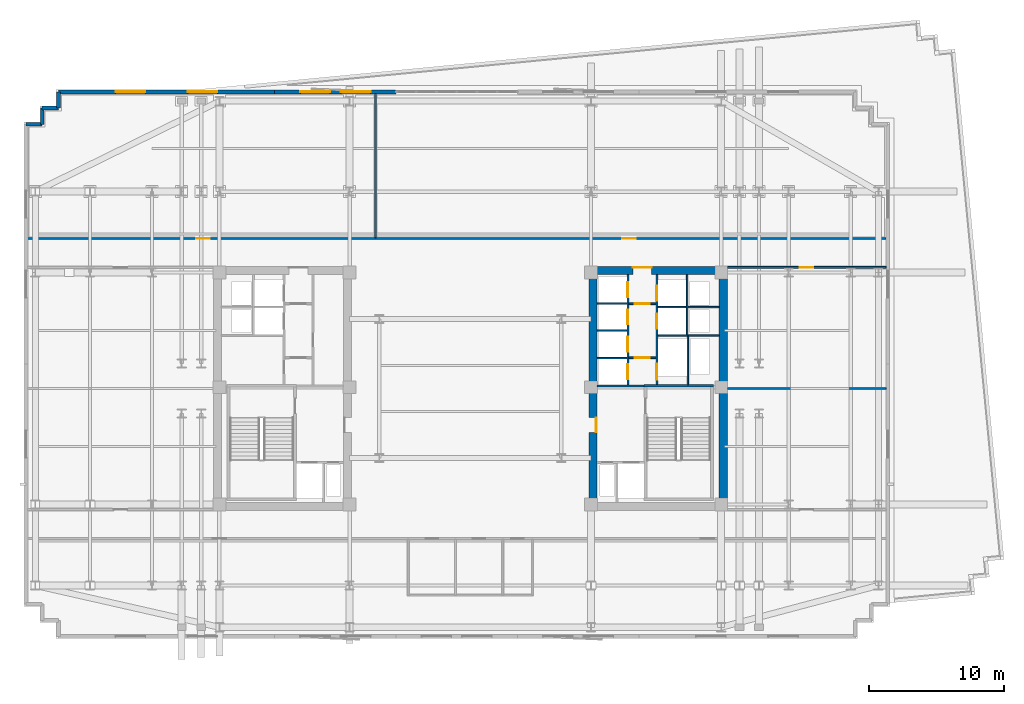
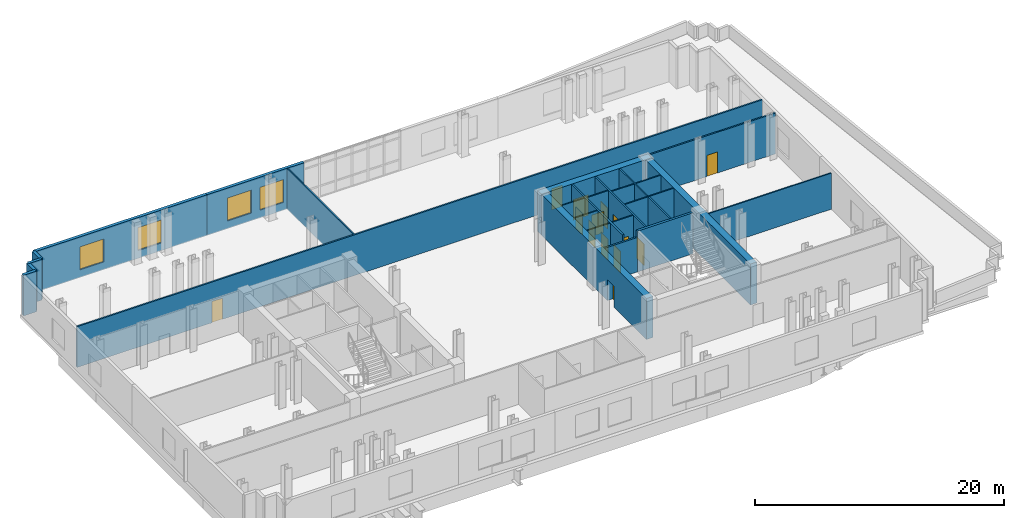
# One storey, part 8 of 14: 27 walls, 14 doors, 4 windows, 18 openings.
"""IFC4 building model written with IfcOpenShell, lengths in metres."""

from ifc_helpers import new_model, si_unit, direction, frame, frame_2d, origin, place, context, subcontext, project, spatial, rectangle, extrude, material, layer, layer_set, type_object, element, fill, save


model = new_model("IFC4")

# Units and contexts
model_context = context("Model", 3, precision=1e-05, world=origin(), true_north=direction((0.0, 1.0)))
body_context = subcontext(model_context, "Body", "Model", "MODEL_VIEW")
ifc_project = project(units=[si_unit("LENGTHUNIT", "METRE"), si_unit("AREAUNIT", "SQUARE_METRE"), si_unit("VOLUMEUNIT", "CUBIC_METRE"), si_unit("PLANEANGLEUNIT", "RADIAN"), si_unit("MASSUNIT", "GRAM", prefix="KILO")], contexts=[model_context])

# Site, building, storey
site_placement = place(None, origin())
site = spatial("IfcSite", under=ifc_project, at=site_placement, CompositionType="ELEMENT")
building_placement = place(site_placement, origin())
building = spatial("IfcBuilding", under=site, at=building_placement, Name="Velakula Bourse", CompositionType="ELEMENT")
storey_placement = place(building_placement, frame((0.0, 0.0, 116.64990234375)))
storey = spatial("IfcBuildingStorey", under=building, at=storey_placement, Name="L31", CompositionType="ELEMENT", Elevation=116.64990234375)

# Wall
ifc_material_1 = material(Name="Concrete M50 (fck 50 MPa)", Category="concrete")
ifc_layer_1 = layer(ifc_material_1, 0.2099609375, Name="Concrete M50 (fck 50 MPa)", Category="concrete")
ifc_layer_set_1 = layer_set([ifc_layer_1], Name="Concrete M50 (fck 50 MPa)")
wall_type_1 = type_object("IfcWallType", Name="WL-CORE-210", PredefinedType="SHEAR", material=ifc_layer_set_1)
wall_1_placement = place(storey_placement, frame((18.030029296875, 0.205078125, 0.0), z_axis=(0.0, 0.0, 1.0), x_axis=(-1.0, 0.0, 0.0)))
element("IfcWall", 1, at=wall_1_placement, inside=storey, type_object=wall_type_1, Name="L31 Core E Stairwell Shear Wall N", PredefinedType="SHEAR", context=body_context, shape_type="SweptSolid", body=[
    extrude(rectangle(XDim=5.14013671875, YDim=0.2099609375, at=frame_2d((2.570068359375, 0.0))), origin(), (0.0, 0.0, 1.0), 4.02001953125),
])

# Wall, opening, door
ifc_material_2 = material(Name="Concrete M70 (fck 70 MPa)", Category="concrete")
ifc_layer_2 = layer(ifc_material_2, 0.60009765625, Name="Concrete M70 (fck 70 MPa)", Category="concrete")
ifc_layer_set_2 = layer_set([ifc_layer_2], Name="Concrete M70 (fck 70 MPa)")
wall_type_2 = type_object("IfcWallType", Name="WL-CORE-600", PredefinedType="SHEAR", material=ifc_layer_set_2)
wall_2_placement = place(storey_placement, frame((8.800048828125, 8.75, 0.0), z_axis=(0.0, 0.0, 1.0), x_axis=(1.0, 0.0, 0.0)))
wall_2 = element("IfcWall", 2, at=wall_2_placement, inside=storey, type_object=wall_type_2, Name="L31 Core E Shear Wall N", PredefinedType="SHEAR", context=body_context, shape_type="SweptSolid", body=[
    extrude(rectangle(XDim=10.25, YDim=0.60009765625, at=frame_2d((5.125, 0.0))), origin(), (0.0, 0.0, 1.0), 4.02001953125),
])
opening_1_placement = place(wall_2_placement, frame((3.25, 0.0, 0.0)))
opening_1 = element("IfcOpeningElement", 3, at=opening_1_placement, cuts=wall_2, Name="Opening D-LLE", PredefinedType="OPENING", context=body_context, shape_type="SweptSolid", body=[
    extrude(rectangle(XDim=1.39990234375, YDim=2.050048828125, at=frame_2d((0.699951171875, 1.02490234375))), frame((0.0, 0.31005859375, 0.0), z_axis=(0.0, -1.0, 0.0), x_axis=(1.0, 0.0, 0.0)), (0.0, 0.0, 1.0), 0.6201171875),
])
ifc_material_3 = material(Name="Fire-rated hardwood flush architectural door", Category="wood")
door_type_1 = type_object("IfcDoorType", Name="DR-DBL-FD60-1400", OperationType="DOUBLE_DOOR_SINGLE_SWING", PredefinedType="DOOR", material=ifc_material_3)
door_1_placement = place(opening_1_placement, origin())
door_1 = element("IfcDoor", 4, at=door_1_placement, inside=storey, type_object=door_type_1, Name="L31 Core E Lift Lobby Corridor Double Door", OperationType="DOUBLE_DOOR_SINGLE_SWING", OverallHeight=2.050048828125, OverallWidth=1.39990234375, PredefinedType="DOOR", context=body_context, shape_type="SweptSolid", body=[
    extrude(rectangle(XDim=1.39990234375, YDim=2.050048828125, at=frame_2d((0.699951171875, 1.02490234375))), frame((0.0, 0.2451171875, 0.0), z_axis=(0.0, -1.0, 0.0), x_axis=(1.0, 0.0, 0.0)), (0.0, 0.0, 1.0), 0.050048828125),
])
fill(opening_1, door_1)

wall_3_placement = place(storey_placement, frame((9.10009765625, -8.449951171875, 0.0), z_axis=(0.0, 0.0, 1.0), x_axis=(0.0, 1.0, 0.0)))
wall_3 = element("IfcWall", 5, at=wall_3_placement, inside=storey, type_object=wall_type_2, Name="L31 Core E Shear Wall W", PredefinedType="SHEAR", context=body_context, shape_type="SweptSolid", body=[
    extrude(rectangle(XDim=16.89990234375, YDim=0.60009765625, at=frame_2d((8.449951171875, 0.0))), origin(), (0.0, 0.0, 1.0), 4.02001953125),
])
opening_2_placement = place(wall_3_placement, frame((5.199951171875, 0.0, 0.0)))
opening_2 = element("IfcOpeningElement", 6, at=opening_2_placement, cuts=wall_3, Name="Opening D-FLE", PredefinedType="OPENING", context=body_context, shape_type="SweptSolid", body=[
    extrude(rectangle(XDim=1.10009765625, YDim=2.080078125, at=frame_2d((0.550048828125, 1.0400390625))), frame((0.0, 0.31005859375, 0.0), z_axis=(0.0, -1.0, 0.0), x_axis=(1.0, 0.0, 0.0)), (0.0, 0.0, 1.0), 0.6201171875),
])
ifc_material_4 = material(Name="Galvanised painted hollow steel fire door", Category="steel")
door_type_2 = type_object("IfcDoorType", Name="DR-FD120-1100", OperationType="NOTDEFINED", PredefinedType="DOOR", material=ifc_material_4)
door_2_placement = place(opening_2_placement, origin())
door_2 = element("IfcDoor", 7, at=door_2_placement, inside=storey, type_object=door_type_2, Name="L31 Firefighting Lobby E Corridor Fire Door", OperationType="SINGLE_SWING_RIGHT", OverallHeight=2.080078125, OverallWidth=1.10009765625, PredefinedType="DOOR", context=body_context, shape_type="SweptSolid", body=[
    extrude(rectangle(XDim=1.10009765625, YDim=2.080078125, at=frame_2d((0.550048828125, 1.0400390625))), frame((0.0, -0.205078125, 0.0), z_axis=(0.0, -1.0, 0.0), x_axis=(1.0, 0.0, 0.0)), (0.0, 0.0, 1.0), 0.050048828125),
])
fill(opening_2, door_2)

# Wall
wall_4_placement = place(storey_placement, frame((18.75, -8.449951171875, 0.0), z_axis=(0.0, 0.0, 1.0), x_axis=(0.0, 1.0, 0.0)))
element("IfcWall", 8, at=wall_4_placement, inside=storey, type_object=wall_type_2, Name="L31 Core E Shear Wall E", PredefinedType="SHEAR", context=body_context, shape_type="SweptSolid", body=[
    extrude(rectangle(XDim=16.89990234375, YDim=0.60009765625, at=frame_2d((8.449951171875, 0.0))), origin(), (0.0, 0.0, 1.0), 4.02001953125),
])

# Wall, openings, windows
ifc_material_5 = material(Name="Red kilned clay facing brick masonry", Category="masonry")
ifc_layer_3 = layer(ifc_material_5, 0.280029296875, Name="Red kilned clay facing brick masonry", Category="masonry")
ifc_layer_set_3 = layer_set([ifc_layer_3], Name="Red kilned clay facing brick masonry")
wall_type_3 = type_object("IfcWallType", Name="WL-EXT-BRK-280", PredefinedType="STANDARD", material=ifc_layer_set_3)
wall_5_placement = place(storey_placement, frame((-30.5400390625, 21.989990234375, 0.0), z_axis=(0.0, 0.0, 1.0), x_axis=(1.0, 0.0, 0.0)))
wall_5 = element("IfcWall", 9, at=wall_5_placement, inside=storey, type_object=wall_type_3, Name="L31 N Brick Spandrel Wall B1", PredefinedType="STANDARD", context=body_context, shape_type="SweptSolid", body=[
    extrude(rectangle(XDim=16.0400390625, YDim=0.280029296875, at=frame_2d((8.02001953125, 0.0))), origin(), (0.0, 0.0, 1.0), 4.0),
])
opening_3_placement = place(wall_5_placement, frame((4.24658203125, 0.0, 0.760009765625)))
opening_3 = element("IfcOpeningElement", 10, at=opening_3_placement, cuts=wall_5, Name="Opening W-08", PredefinedType="OPENING", context=body_context, shape_type="SweptSolid", body=[
    extrude(rectangle(XDim=2.199951171875, YDim=2.25, at=frame_2d((1.10009765625, 1.125))), frame((0.0, 0.14990234375, 0.0), z_axis=(0.0, -1.0, 0.0), x_axis=(1.0, 0.0, 0.0)), (0.0, 0.0, 1.0), 0.300048828125),
])
opening_4_placement = place(wall_5_placement, frame((9.59326171875, 0.0, 0.760009765625)))
opening_4 = element("IfcOpeningElement", 11, at=opening_4_placement, cuts=wall_5, Name="Opening W-08", PredefinedType="OPENING", context=body_context, shape_type="SweptSolid", body=[
    extrude(rectangle(XDim=2.199951171875, YDim=2.25, at=frame_2d((1.10009765625, 1.125))), frame((0.0, 0.14990234375, 0.0), z_axis=(0.0, -1.0, 0.0), x_axis=(1.0, 0.0, 0.0)), (0.0, 0.0, 1.0), 0.300048828125),
])
ifc_material_6 = material(Name="Double-glazed solar-control Low-E glass", Category="glass")
window_type = type_object("IfcWindowType", Name="WIN-SL-2200x2500", PartitioningType="DOUBLE_PANEL_VERTICAL", PredefinedType="WINDOW", material=ifc_material_6)
window_1_placement = place(opening_3_placement, origin())
window_1 = element("IfcWindow", 12, at=window_1_placement, inside=storey, type_object=window_type, Name="L31 Deep-Set Recessed Window 1", OverallHeight=2.25, OverallWidth=2.199951171875, PartitioningType="DOUBLE_PANEL_VERTICAL", PredefinedType="WINDOW", context=body_context, shape_type="SweptSolid", body=[
    extrude(rectangle(XDim=2.199951171875, YDim=2.25, at=frame_2d((1.10009765625, 1.125))), frame((0.0, 0.030029296875, 0.0), z_axis=(0.0, -1.0, 0.0), x_axis=(1.0, 0.0, 0.0)), (0.0, 0.0, 1.0), 0.06005859375),
])
fill(opening_3, window_1)
window_2_placement = place(opening_4_placement, origin())
window_2 = element("IfcWindow", 13, at=window_2_placement, inside=storey, type_object=window_type, Name="L31 Deep-Set Recessed Window 2", OverallHeight=2.25, OverallWidth=2.199951171875, PartitioningType="DOUBLE_PANEL_VERTICAL", PredefinedType="WINDOW", context=body_context, shape_type="SweptSolid", body=[
    extrude(rectangle(XDim=2.199951171875, YDim=2.25, at=frame_2d((1.10009765625, 1.125))), frame((0.0, 0.030029296875, 0.0), z_axis=(0.0, -1.0, 0.0), x_axis=(1.0, 0.0, 0.0)), (0.0, 0.0, 1.0), 0.06005859375),
])
fill(opening_4, window_2)

wall_6_placement = place(storey_placement, frame((-14.5, 21.989990234375, 0.0), z_axis=(0.0, 0.0, 1.0), x_axis=(1.0, 0.0, 0.0)))
wall_6 = element("IfcWall", 14, at=wall_6_placement, inside=storey, type_object=wall_type_3, Name="L31 N Brick Spandrel Wall B2", PredefinedType="STANDARD", context=body_context, shape_type="SweptSolid", body=[
    extrude(rectangle(XDim=9.0, YDim=0.280029296875, at=frame_2d((4.5, 0.0))), origin(), (0.0, 0.0, 1.0), 4.0),
])
opening_5_placement = place(wall_6_placement, frame((1.89990234375, 0.0, 0.760009765625)))
opening_5 = element("IfcOpeningElement", 15, at=opening_5_placement, cuts=wall_6, Name="Opening W-08", PredefinedType="OPENING", context=body_context, shape_type="SweptSolid", body=[
    extrude(rectangle(XDim=2.199951171875, YDim=2.25, at=frame_2d((1.10009765625, 1.125))), frame((0.0, 0.14990234375, 0.0), z_axis=(0.0, -1.0, 0.0), x_axis=(1.0, 0.0, 0.0)), (0.0, 0.0, 1.0), 0.300048828125),
])
opening_6_placement = place(wall_6_placement, frame((4.89990234375, 0.0, 0.760009765625)))
opening_6 = element("IfcOpeningElement", 16, at=opening_6_placement, cuts=wall_6, Name="Opening W-08", PredefinedType="OPENING", context=body_context, shape_type="SweptSolid", body=[
    extrude(rectangle(XDim=2.199951171875, YDim=2.25, at=frame_2d((1.10009765625, 1.125))), frame((0.0, 0.14990234375, 0.0), z_axis=(0.0, -1.0, 0.0), x_axis=(1.0, 0.0, 0.0)), (0.0, 0.0, 1.0), 0.300048828125),
])
window_3_placement = place(opening_5_placement, origin())
window_3 = element("IfcWindow", 17, at=window_3_placement, inside=storey, type_object=window_type, Name="L31 Deep-Set Recessed Window 1", OverallHeight=2.25, OverallWidth=2.199951171875, PartitioningType="DOUBLE_PANEL_VERTICAL", PredefinedType="WINDOW", context=body_context, shape_type="SweptSolid", body=[
    extrude(rectangle(XDim=2.199951171875, YDim=2.25, at=frame_2d((1.10009765625, 1.125))), frame((0.0, 0.030029296875, 0.0), z_axis=(0.0, -1.0, 0.0), x_axis=(1.0, 0.0, 0.0)), (0.0, 0.0, 1.0), 0.06005859375),
])
fill(opening_5, window_3)
window_4_placement = place(opening_6_placement, origin())
window_4 = element("IfcWindow", 18, at=window_4_placement, inside=storey, type_object=window_type, Name="L31 Deep-Set Recessed Window 2", OverallHeight=2.25, OverallWidth=2.199951171875, PartitioningType="DOUBLE_PANEL_VERTICAL", PredefinedType="WINDOW", context=body_context, shape_type="SweptSolid", body=[
    extrude(rectangle(XDim=2.199951171875, YDim=2.25, at=frame_2d((1.10009765625, 1.125))), frame((0.0, 0.030029296875, 0.0), z_axis=(0.0, -1.0, 0.0), x_axis=(1.0, 0.0, 0.0)), (0.0, 0.0, 1.0), 0.06005859375),
])
fill(opening_6, window_4)

# Walls
for number, where, z_axis, x_axis, name in (
    (19, (-30.5400390625, 21.989990234375, 0.0), (0.0, 0.0, 1.0), (0.0, -1.0, 0.0), "L31 Serrated Corner Brick Wall NW-1"),
    (20, (-30.5400390625, 20.7900390625, 0.0), (0.0, 0.0, 1.0), (-1.0, 0.0, 0.0), "L31 Serrated Corner Brick Wall NW-2"),
    (21, (-31.739990234375, 20.7900390625, 0.0), (0.0, 0.0, 1.0), (0.0, -1.0, 0.0), "L31 Serrated Corner Brick Wall NW-3"),
    (22, (-31.739990234375, 19.590087890625, 0.0), (0.0, 0.0, 1.0), (-1.0, 0.0, 0.0), "L31 Serrated Corner Brick Wall NW-4"),
):
    element("IfcWall", number, at=place(storey_placement, frame(where, z_axis=z_axis, x_axis=x_axis)), inside=storey, type_object=wall_type_3, Name=name, PredefinedType="STANDARD", context=body_context, shape_type="SweptSolid", body=[
        extrude(rectangle(XDim=1.199951171875, YDim=0.280029296875, at=frame_2d((0.60009765625, 0.0))), origin(), (0.0, 0.0, 1.0), 4.0),
    ])

# Wall, opening, door
ifc_material_7 = material(Name="Fire-rated double-layer gypsum drywall partition", Category="gypsum")
ifc_layer_4 = layer(ifc_material_7, 0.1201171875, Name="Fire-rated double-layer gypsum drywall partition", Category="gypsum")
ifc_layer_set_4 = layer_set([ifc_layer_4], Name="Fire-rated double-layer gypsum drywall partition")
wall_type_4 = type_object("IfcWallType", Name="WL-PART-120", PredefinedType="STANDARD", material=ifc_layer_set_4)
wall_7_placement = place(storey_placement, frame((11.75, 2.280029296875, 0.0), z_axis=(0.0, 0.0, 1.0), x_axis=(1.0, 0.0, 0.0)))
wall_7 = element("IfcWall", 23, at=wall_7_placement, inside=storey, type_object=wall_type_4, Name="L31 Interior Partition WL-CRE-L31-LL-K3A", PredefinedType="STANDARD", context=body_context, shape_type="SweptSolid", body=[
    extrude(rectangle(XDim=2.0, YDim=0.1201171875, at=frame_2d((1.0, 0.0))), origin(), (0.0, 0.0, 1.0), 4.0),
])
opening_7_placement = place(wall_7_placement, frame((0.449951171875, 0.0, 0.0)))
opening_7 = element("IfcOpeningElement", 24, at=opening_7_placement, cuts=wall_7, Name="Opening D-LK3", PredefinedType="OPENING", context=body_context, shape_type="SweptSolid", body=[
    extrude(rectangle(XDim=1.10009765625, YDim=2.10009765625, at=frame_2d((0.550048828125, 1.050048828125))), frame((0.0, 0.070068359375, 0.0), z_axis=(0.0, -1.0, 0.0), x_axis=(1.0, 0.0, 0.0)), (0.0, 0.0, 1.0), 0.14013671875),
])
door_type_3 = type_object("IfcDoorType", Name="DR-FD60-1100x2100", OperationType="NOTDEFINED", PredefinedType="DOOR", material=ifc_material_3)
door_3_placement = place(opening_7_placement, origin())
door_3 = element("IfcDoor", 25, at=door_3_placement, inside=storey, type_object=door_type_3, Name="L31 Core E Lift Lobby Vestibule Door A", OperationType="SINGLE_SWING_LEFT", OverallHeight=2.10009765625, OverallWidth=1.10009765625, PredefinedType="DOOR", context=body_context, shape_type="SweptSolid", body=[
    extrude(rectangle(XDim=1.10009765625, YDim=2.10009765625, at=frame_2d((0.550048828125, 1.050048828125))), frame((0.0, 0.02490234375, 0.0), z_axis=(0.0, -1.0, 0.0), x_axis=(1.0, 0.0, 0.0)), (0.0, 0.0, 1.0), 0.050048828125),
])
fill(opening_7, door_3)

wall_8_placement = place(storey_placement, frame((11.75, 6.280029296875, 0.0), z_axis=(0.0, 0.0, 1.0), x_axis=(1.0, 0.0, 0.0)))
wall_8 = element("IfcWall", 26, at=wall_8_placement, inside=storey, type_object=wall_type_4, Name="L31 Interior Partition WL-CRE-L31-LL-K3B", PredefinedType="STANDARD", context=body_context, shape_type="SweptSolid", body=[
    extrude(rectangle(XDim=2.0, YDim=0.1201171875, at=frame_2d((1.0, 0.0))), origin(), (0.0, 0.0, 1.0), 4.0),
])
opening_8_placement = place(wall_8_placement, frame((0.449951171875, 0.0, 0.0)))
opening_8 = element("IfcOpeningElement", 27, at=opening_8_placement, cuts=wall_8, Name="Opening D-LK3", PredefinedType="OPENING", context=body_context, shape_type="SweptSolid", body=[
    extrude(rectangle(XDim=1.10009765625, YDim=2.10009765625, at=frame_2d((0.550048828125, 1.050048828125))), frame((0.0, 0.070068359375, 0.0), z_axis=(0.0, -1.0, 0.0), x_axis=(1.0, 0.0, 0.0)), (0.0, 0.0, 1.0), 0.14013671875),
])
door_4_placement = place(opening_8_placement, origin())
door_4 = element("IfcDoor", 28, at=door_4_placement, inside=storey, type_object=door_type_3, Name="L31 Core E Lift Lobby Vestibule Door B", OperationType="SINGLE_SWING_RIGHT", OverallHeight=2.10009765625, OverallWidth=1.10009765625, PredefinedType="DOOR", context=body_context, shape_type="SweptSolid", body=[
    extrude(rectangle(XDim=1.10009765625, YDim=2.10009765625, at=frame_2d((0.550048828125, 1.050048828125))), frame((0.0, 0.02490234375, 0.0), z_axis=(0.0, -1.0, 0.0), x_axis=(1.0, 0.0, 0.0)), (0.0, 0.0, 1.0), 0.050048828125),
])
fill(opening_8, door_4)

# Walls
for number, where, z_axis, x_axis, name in (
    (29, (9.39990234375, 2.2548828125, 0.0), (0.0, 0.0, 1.0), (1.0, 0.0, 0.0), "L31 Interior Partition WL-CRE-L31-BDIV-0"),
    (30, (9.39990234375, 4.284912109375, 0.0), (0.0, 0.0, 1.0), (1.0, 0.0, 0.0), "L31 Interior Partition WL-CRE-L31-BDIV-1"),
    (31, (9.39990234375, 6.31494140625, 0.0), (0.0, 0.0, 1.0), (1.0, 0.0, 0.0), "L31 Interior Partition WL-CRE-L31-BDIV-2"),
):
    element("IfcWall", number, at=place(storey_placement, frame(where, z_axis=z_axis, x_axis=x_axis)), inside=storey, type_object=wall_type_4, Name=name, PredefinedType="STANDARD", context=body_context, shape_type="SweptSolid", body=[
        extrude(rectangle(XDim=2.2001953125, YDim=0.110107421875, at=frame_2d((1.10009765625, 0.0))), origin(), (0.0, 0.0, 1.0), 4.0),
    ])
wall_9_placement = place(storey_placement, frame((13.89990234375, 3.919921875, 0.0), z_axis=(0.0, 0.0, 1.0), x_axis=(1.0, 0.0, 0.0)))
element("IfcWall", 32, at=wall_9_placement, inside=storey, type_object=wall_type_4, Name="L31 Interior Partition WL-CRE-L31-HI-S", PredefinedType="STANDARD", context=body_context, shape_type="SweptSolid", body=[
    extrude(rectangle(XDim=4.550048828125, YDim=0.1201171875, at=frame_2d((2.27490234375, 0.0))), origin(), (0.0, 0.0, 1.0), 4.0),
])
wall_10_placement = place(storey_placement, frame((16.14990234375, 6.030029296875, 0.0), z_axis=(0.0, 0.0, 1.0), x_axis=(1.0, 0.0, 0.0)))
element("IfcWall", 33, at=wall_10_placement, inside=storey, type_object=wall_type_4, Name="L31 Interior Partition WL-CRE-L31-RIS-MID", PredefinedType="STANDARD", context=body_context, shape_type="SweptSolid", body=[
    extrude(rectangle(XDim=2.300048828125, YDim=0.1201171875, at=frame_2d((1.14990234375, 0.0))), origin(), (0.0, 0.0, 1.0), 4.0),
])
wall_11_placement = place(storey_placement, frame((16.074951171875, 3.97998046875, 0.0), z_axis=(0.0, 0.0, 1.0), x_axis=(0.0, 1.0, 0.0)))
element("IfcWall", 34, at=wall_11_placement, inside=storey, type_object=wall_type_4, Name="L31 Interior Partition WL-CRE-L31-RIS-F", PredefinedType="STANDARD", context=body_context, shape_type="SweptSolid", body=[
    extrude(rectangle(XDim=4.469970703125, YDim=0.1201171875, at=frame_2d((2.23486328125, 0.0))), origin(), (0.0, 0.0, 1.0), 4.0),
])
wall_12_placement = place(storey_placement, frame((13.89990234375, 6.030029296875, 0.0), z_axis=(0.0, 0.0, 1.0), x_axis=(1.0, 0.0, 0.0)))
element("IfcWall", 35, at=wall_12_placement, inside=storey, type_object=wall_type_4, Name="L31 Interior Partition WL-CRE-L31-HI-DIV", PredefinedType="STANDARD", context=body_context, shape_type="SweptSolid", body=[
    extrude(rectangle(XDim=2.10009765625, YDim=0.1201171875, at=frame_2d((1.050048828125, 0.0))), origin(), (0.0, 0.0, 1.0), 4.0),
])
wall_13_placement = place(storey_placement, frame((16.125, 0.27001953125, 0.0), z_axis=(0.0, 0.0, 1.0), x_axis=(0.0, 1.0, 0.0)))
element("IfcWall", 36, at=wall_13_placement, inside=storey, type_object=wall_type_4, Name="L31 Interior Partition WL-CRE-L31-SVL-E", PredefinedType="STANDARD", context=body_context, shape_type="SweptSolid", body=[
    extrude(rectangle(XDim=3.590087890625, YDim=0.1201171875, at=frame_2d((1.794921875, 0.0))), origin(), (0.0, 0.0, 1.0), 4.0),
])
wall_14_placement = place(storey_placement, frame((-7.033935546875, 11.18994140625, 0.0), z_axis=(0.0, 0.0, 1.0), x_axis=(0.0, 1.0, 0.0)))
element("IfcWall", 37, at=wall_14_placement, inside=storey, type_object=wall_type_4, Name="L31 Interior Partition WL-INT-L31-N-D1", PredefinedType="STANDARD", context=body_context, shape_type="SweptSolid", body=[
    extrude(rectangle(XDim=10.68017578125, YDim=0.1201171875, at=frame_2d((5.340087890625, 0.0))), origin(), (0.0, 0.0, 1.0), 4.0),
])
wall_15_placement = place(storey_placement, frame((19.050048828125, 0.0, 0.0), z_axis=(0.0, 0.0, 1.0), x_axis=(1.0, 0.0, 0.0)))
element("IfcWall", 38, at=wall_15_placement, inside=storey, type_object=wall_type_4, Name="L31 Interior Partition WL-INT-L31-E-H", PredefinedType="STANDARD", context=body_context, shape_type="SweptSolid", body=[
    extrude(rectangle(XDim=11.77001953125, YDim=0.1201171875, at=frame_2d((5.885009765625, 0.0))), origin(), (0.0, 0.0, 1.0), 3.545166015625),
])

# Wall, openings, doors
ifc_layer_5 = layer(ifc_material_7, 0.139892578125, Name="Fire-rated double-layer gypsum drywall partition", Category="gypsum")
ifc_layer_set_5 = layer_set([ifc_layer_5], Name="Fire-rated double-layer gypsum drywall partition")
wall_type_5 = type_object("IfcWallType", Name="WL-PART-140", PredefinedType="STANDARD", material=ifc_layer_set_5)
wall_16_placement = place(storey_placement, frame((-32.820068359375, 11.1201171875, 0.0), z_axis=(0.0, 0.0, 1.0), x_axis=(1.0, 0.0, 0.0)))
wall_16 = element("IfcWall", 39, at=wall_16_placement, inside=storey, type_object=wall_type_5, Name="L31 Interior Partition WL-INT-L31-N-CORR", PredefinedType="STANDARD", context=body_context, shape_type="SweptSolid", body=[
    extrude(rectangle(XDim=63.64013671875, YDim=0.139892578125, at=frame_2d((31.820068359375, 0.0))), origin(), (0.0, 0.0, 1.0), 4.0),
])
opening_9_placement = place(wall_16_placement, frame((12.51904296875, 0.0, 0.0)))
opening_9 = element("IfcOpeningElement", 40, at=opening_9_placement, cuts=wall_16, Name="Opening D-OF1", PredefinedType="OPENING", context=body_context, shape_type="SweptSolid", body=[
    extrude(rectangle(XDim=1.0, YDim=2.080078125, at=frame_2d((0.5, 1.0400390625))), frame((0.0, 0.079833984375, 0.0), z_axis=(0.0, -1.0, 0.0), x_axis=(1.0, 0.0, 0.0)), (0.0, 0.0, 1.0), 0.159912109375),
])
opening_10_placement = place(wall_16_placement, frame((44.0869140625, 0.0, 0.0)))
opening_10 = element("IfcOpeningElement", 41, at=opening_10_placement, cuts=wall_16, Name="Opening D-OF1", PredefinedType="OPENING", context=body_context, shape_type="SweptSolid", body=[
    extrude(rectangle(XDim=1.0, YDim=2.080078125, at=frame_2d((0.5, 1.0400390625))), frame((0.0, 0.079833984375, 0.0), z_axis=(0.0, -1.0, 0.0), x_axis=(1.0, 0.0, 0.0)), (0.0, 0.0, 1.0), 0.159912109375),
])
door_type_4 = type_object("IfcDoorType", Name="DR-OFF-1000", OperationType="NOTDEFINED", PredefinedType="DOOR", material=ifc_material_3)
door_5_placement = place(opening_9_placement, origin())
door_5 = element("IfcDoor", 42, at=door_5_placement, inside=storey, type_object=door_type_4, Name="L31 Sky Reception Foyer Door", OperationType="SINGLE_SWING_LEFT", OverallHeight=2.080078125, OverallWidth=1.0, PredefinedType="DOOR", context=body_context, shape_type="SweptSolid", body=[
    extrude(rectangle(XDim=1.0, YDim=2.080078125, at=frame_2d((0.5, 1.0400390625))), frame((0.0, 0.02490234375, 0.0), z_axis=(0.0, -1.0, 0.0), x_axis=(1.0, 0.0, 0.0)), (0.0, 0.0, 1.0), 0.050048828125),
])
fill(opening_9, door_5)
door_6_placement = place(opening_10_placement, origin())
door_6 = element("IfcDoor", 43, at=door_6_placement, inside=storey, type_object=door_type_4, Name="L31 Listing Committee Chamber Door", OperationType="SINGLE_SWING_RIGHT", OverallHeight=2.080078125, OverallWidth=1.0, PredefinedType="DOOR", context=body_context, shape_type="SweptSolid", body=[
    extrude(rectangle(XDim=1.0, YDim=2.080078125, at=frame_2d((0.5, 1.0400390625))), frame((0.0, 0.02490234375, 0.0), z_axis=(0.0, -1.0, 0.0), x_axis=(1.0, 0.0, 0.0)), (0.0, 0.0, 1.0), 0.050048828125),
])
fill(opening_10, door_6)

# Wall, opening, door
wall_17_placement = place(storey_placement, frame((19.050048828125, 8.97998046875, 0.0), z_axis=(0.0, 0.0, 1.0), x_axis=(1.0, 0.0, 0.0)))
wall_17 = element("IfcWall", 44, at=wall_17_placement, inside=storey, type_object=wall_type_5, Name="L31 Interior Partition WL-INT-L31-E-NC", PredefinedType="STANDARD", context=body_context, shape_type="SweptSolid", body=[
    extrude(rectangle(XDim=11.77001953125, YDim=0.139892578125, at=frame_2d((5.885009765625, 0.0))), origin(), (0.0, 0.0, 1.0), 4.0),
])
opening_11_placement = place(wall_17_placement, frame((5.385009765625, 0.0, 0.0)))
opening_11 = element("IfcOpeningElement", 45, at=opening_11_placement, cuts=wall_17, Name="Opening D-OF1", PredefinedType="OPENING", context=body_context, shape_type="SweptSolid", body=[
    extrude(rectangle(XDim=1.0, YDim=2.080078125, at=frame_2d((0.5, 1.0400390625))), frame((0.0, 0.079833984375, 0.0), z_axis=(0.0, -1.0, 0.0), x_axis=(1.0, 0.0, 0.0)), (0.0, 0.0, 1.0), 0.159912109375),
])
door_7_placement = place(opening_11_placement, origin())
door_7 = element("IfcDoor", 46, at=door_7_placement, inside=storey, type_object=door_type_4, Name="L31 Bullion Assay Office Door", OperationType="SINGLE_SWING_RIGHT", OverallHeight=2.080078125, OverallWidth=1.0, PredefinedType="DOOR", context=body_context, shape_type="SweptSolid", body=[
    extrude(rectangle(XDim=1.0, YDim=2.080078125, at=frame_2d((0.5, 1.0400390625))), frame((0.0, 0.02490234375, 0.0), z_axis=(0.0, -1.0, 0.0), x_axis=(1.0, 0.0, 0.0)), (0.0, 0.0, 1.0), 0.050048828125),
])
fill(opening_11, door_7)

# Wall
ifc_material_8 = material(Name="Autoclaved aerated concrete blockwork masonry", Category="masonry")
ifc_layer_6 = layer(ifc_material_8, 0.14990234375, Name="Autoclaved aerated concrete blockwork masonry", Category="masonry")
ifc_layer_set_6 = layer_set([ifc_layer_6], Name="Autoclaved aerated concrete blockwork masonry")
wall_type_6 = type_object("IfcWallType", Name="WL-SHAFT-150", PredefinedType="STANDARD", material=ifc_layer_set_6)
wall_18_placement = place(storey_placement, frame((9.39990234375, 0.18994140625, 0.0), z_axis=(0.0, 0.0, 1.0), x_axis=(1.0, 0.0, 0.0)))
element("IfcWall", 47, at=wall_18_placement, inside=storey, type_object=wall_type_6, Name="L31 Interior Partition WL-CRE-L31-FF-TOP", PredefinedType="STANDARD", context=body_context, shape_type="SweptSolid", body=[
    extrude(rectangle(XDim=3.489990234375, YDim=0.14990234375, at=frame_2d((1.7451171875, 0.0))), origin(), (0.0, 0.0, 1.0), 3.39501953125),
])

# Wall, openings, doors
wall_19_placement = place(storey_placement, frame((11.675048828125, 0.27001953125, 0.0), z_axis=(0.0, 0.0, 1.0), x_axis=(0.0, 1.0, 0.0)))
wall_19 = element("IfcWall", 48, at=wall_19_placement, inside=storey, type_object=wall_type_6, Name="L31 Interior Partition WL-CRE-L31-BANK-F", PredefinedType="STANDARD", context=body_context, shape_type="SweptSolid", body=[
    extrude(rectangle(XDim=8.179931640625, YDim=0.14990234375, at=frame_2d((4.08984375, 0.0))), origin(), (0.0, 0.0, 1.0), 4.0),
])
opening_12_placement = place(wall_19_placement, frame((0.419921875, 0.0, 0.0)))
opening_12 = element("IfcOpeningElement", 49, at=opening_12_placement, cuts=wall_19, Name="Opening LD-P5", PredefinedType="OPENING", context=body_context, shape_type="SweptSolid", body=[
    extrude(rectangle(XDim=1.10009765625, YDim=2.10009765625, at=frame_2d((0.550048828125, 1.050048828125))), frame((0.0, 0.0849609375, 0.0), z_axis=(0.0, -1.0, 0.0), x_axis=(1.0, 0.0, 0.0)), (0.0, 0.0, 1.0), 0.169921875),
])
opening_13_placement = place(wall_19_placement, frame((2.449951171875, 0.0, 0.0)))
opening_13 = element("IfcOpeningElement", 50, at=opening_13_placement, cuts=wall_19, Name="Opening LD-P6", PredefinedType="OPENING", context=body_context, shape_type="SweptSolid", body=[
    extrude(rectangle(XDim=1.10009765625, YDim=2.10009765625, at=frame_2d((0.550048828125, 1.050048828125))), frame((0.0, 0.0849609375, 0.0), z_axis=(0.0, -1.0, 0.0), x_axis=(1.0, 0.0, 0.0)), (0.0, 0.0, 1.0), 0.169921875),
])
opening_14_placement = place(wall_19_placement, frame((4.47998046875, 0.0, 0.0)))
opening_14 = element("IfcOpeningElement", 51, at=opening_14_placement, cuts=wall_19, Name="Opening LD-P7", PredefinedType="OPENING", context=body_context, shape_type="SweptSolid", body=[
    extrude(rectangle(XDim=1.10009765625, YDim=2.10009765625, at=frame_2d((0.550048828125, 1.050048828125))), frame((0.0, 0.0849609375, 0.0), z_axis=(0.0, -1.0, 0.0), x_axis=(1.0, 0.0, 0.0)), (0.0, 0.0, 1.0), 0.169921875),
])
opening_15_placement = place(wall_19_placement, frame((6.510009765625, 0.0, 0.0)))
opening_15 = element("IfcOpeningElement", 52, at=opening_15_placement, cuts=wall_19, Name="Opening LD-P8", PredefinedType="OPENING", context=body_context, shape_type="SweptSolid", body=[
    extrude(rectangle(XDim=1.10009765625, YDim=2.10009765625, at=frame_2d((0.550048828125, 1.050048828125))), frame((0.0, 0.0849609375, 0.0), z_axis=(0.0, -1.0, 0.0), x_axis=(1.0, 0.0, 0.0)), (0.0, 0.0, 1.0), 0.169921875),
])
ifc_material_9 = material(Name="Brushed grade 316 stainless steel", Category="steel")
door_type_5 = type_object("IfcDoorType", Name="DR-SLIDE-LD-1100", OperationType="DOUBLE_DOOR_SLIDING", PredefinedType="DOOR", material=ifc_material_9)
door_8_placement = place(opening_12_placement, origin())
door_8 = element("IfcDoor", 53, at=door_8_placement, inside=storey, type_object=door_type_5, Name="L31 Passenger Lift P5 Sliding Landing Door", OperationType="DOUBLE_DOOR_SLIDING", OverallHeight=2.10009765625, OverallWidth=1.10009765625, PredefinedType="DOOR", context=body_context, shape_type="SweptSolid", body=[
    extrude(rectangle(XDim=1.10009765625, YDim=2.10009765625, at=frame_2d((0.550048828125, 1.050048828125))), frame((0.0, 0.02490234375, 0.0), z_axis=(0.0, -1.0, 0.0), x_axis=(1.0, 0.0, 0.0)), (0.0, 0.0, 1.0), 0.050048828125),
])
fill(opening_12, door_8)
door_9_placement = place(opening_13_placement, origin())
door_9 = element("IfcDoor", 54, at=door_9_placement, inside=storey, type_object=door_type_5, Name="L31 Passenger Lift P6 Sliding Landing Door", OperationType="DOUBLE_DOOR_SLIDING", OverallHeight=2.10009765625, OverallWidth=1.10009765625, PredefinedType="DOOR", context=body_context, shape_type="SweptSolid", body=[
    extrude(rectangle(XDim=1.10009765625, YDim=2.10009765625, at=frame_2d((0.550048828125, 1.050048828125))), frame((0.0, 0.02490234375, 0.0), z_axis=(0.0, -1.0, 0.0), x_axis=(1.0, 0.0, 0.0)), (0.0, 0.0, 1.0), 0.050048828125),
])
fill(opening_13, door_9)
door_10_placement = place(opening_14_placement, origin())
door_10 = element("IfcDoor", 55, at=door_10_placement, inside=storey, type_object=door_type_5, Name="L31 Passenger Lift P7 Sliding Landing Door", OperationType="DOUBLE_DOOR_SLIDING", OverallHeight=2.10009765625, OverallWidth=1.10009765625, PredefinedType="DOOR", context=body_context, shape_type="SweptSolid", body=[
    extrude(rectangle(XDim=1.10009765625, YDim=2.10009765625, at=frame_2d((0.550048828125, 1.050048828125))), frame((0.0, 0.02490234375, 0.0), z_axis=(0.0, -1.0, 0.0), x_axis=(1.0, 0.0, 0.0)), (0.0, 0.0, 1.0), 0.050048828125),
])
fill(opening_14, door_10)
door_11_placement = place(opening_15_placement, origin())
door_11 = element("IfcDoor", 56, at=door_11_placement, inside=storey, type_object=door_type_5, Name="L31 Passenger Lift P8 Sliding Landing Door", OperationType="DOUBLE_DOOR_SLIDING", OverallHeight=2.10009765625, OverallWidth=1.10009765625, PredefinedType="DOOR", context=body_context, shape_type="SweptSolid", body=[
    extrude(rectangle(XDim=1.10009765625, YDim=2.10009765625, at=frame_2d((0.550048828125, 1.050048828125))), frame((0.0, 0.02490234375, 0.0), z_axis=(0.0, -1.0, 0.0), x_axis=(1.0, 0.0, 0.0)), (0.0, 0.0, 1.0), 0.050048828125),
])
fill(opening_15, door_11)

wall_20_placement = place(storey_placement, frame((13.824951171875, 0.27001953125, 0.0), z_axis=(0.0, 0.0, 1.0), x_axis=(0.0, 1.0, 0.0)))
wall_20 = element("IfcWall", 57, at=wall_20_placement, inside=storey, type_object=wall_type_6, Name="L31 Interior Partition WL-CRE-L31-OUT-F", PredefinedType="STANDARD", context=body_context, shape_type="SweptSolid", body=[
    extrude(rectangle(XDim=8.179931640625, YDim=0.14990234375, at=frame_2d((4.08984375, 0.0))), origin(), (0.0, 0.0, 1.0), 4.0),
])
opening_16_placement = place(wall_20_placement, frame((4.175048828125, 0.0, 0.0)))
opening_16 = element("IfcOpeningElement", 58, at=opening_16_placement, cuts=wall_20, Name="Opening LD-P11", PredefinedType="OPENING", context=body_context, shape_type="SweptSolid", body=[
    extrude(rectangle(XDim=1.10009765625, YDim=2.10009765625, at=frame_2d((0.550048828125, 1.050048828125))), frame((0.0, 0.0849609375, 0.0), z_axis=(0.0, -1.0, 0.0), x_axis=(1.0, 0.0, 0.0)), (0.0, 0.0, 1.0), 0.169921875),
])
opening_17_placement = place(wall_20_placement, frame((6.2451171875, 0.0, 0.0)))
opening_17 = element("IfcOpeningElement", 59, at=opening_17_placement, cuts=wall_20, Name="Opening LD-P12", PredefinedType="OPENING", context=body_context, shape_type="SweptSolid", body=[
    extrude(rectangle(XDim=1.10009765625, YDim=2.10009765625, at=frame_2d((0.550048828125, 1.050048828125))), frame((0.0, 0.0849609375, 0.0), z_axis=(0.0, -1.0, 0.0), x_axis=(1.0, 0.0, 0.0)), (0.0, 0.0, 1.0), 0.169921875),
])
opening_18_placement = place(wall_20_placement, frame((0.3798828125, 0.0, 0.0)))
opening_18 = element("IfcOpeningElement", 60, at=opening_18_placement, cuts=wall_20, Name="Opening LD-SVL1", PredefinedType="OPENING", context=body_context, shape_type="SweptSolid", body=[
    extrude(rectangle(XDim=1.199951171875, YDim=2.10009765625, at=frame_2d((0.60009765625, 1.050048828125))), frame((0.0, 0.0849609375, 0.0), z_axis=(0.0, -1.0, 0.0), x_axis=(1.0, 0.0, 0.0)), (0.0, 0.0, 1.0), 0.169921875),
])
door_12_placement = place(opening_16_placement, origin())
door_12 = element("IfcDoor", 61, at=door_12_placement, inside=storey, type_object=door_type_5, Name="L31 Passenger Lift P11 Sliding Landing Door", OperationType="DOUBLE_DOOR_SLIDING", OverallHeight=2.10009765625, OverallWidth=1.10009765625, PredefinedType="DOOR", context=body_context, shape_type="SweptSolid", body=[
    extrude(rectangle(XDim=1.10009765625, YDim=2.10009765625, at=frame_2d((0.550048828125, 1.050048828125))), frame((0.0, 0.02490234375, 0.0), z_axis=(0.0, -1.0, 0.0), x_axis=(1.0, 0.0, 0.0)), (0.0, 0.0, 1.0), 0.050048828125),
])
fill(opening_16, door_12)
door_13_placement = place(opening_17_placement, origin())
door_13 = element("IfcDoor", 62, at=door_13_placement, inside=storey, type_object=door_type_5, Name="L31 Passenger Lift P12 Sliding Landing Door", OperationType="DOUBLE_DOOR_SLIDING", OverallHeight=2.10009765625, OverallWidth=1.10009765625, PredefinedType="DOOR", context=body_context, shape_type="SweptSolid", body=[
    extrude(rectangle(XDim=1.10009765625, YDim=2.10009765625, at=frame_2d((0.550048828125, 1.050048828125))), frame((0.0, 0.02490234375, 0.0), z_axis=(0.0, -1.0, 0.0), x_axis=(1.0, 0.0, 0.0)), (0.0, 0.0, 1.0), 0.050048828125),
])
fill(opening_17, door_13)
door_type_6 = type_object("IfcDoorType", Name="DR-SLIDE-LD-1200", OperationType="DOUBLE_DOOR_SLIDING", PredefinedType="DOOR", material=ifc_material_9)
door_14_placement = place(opening_18_placement, origin())
door_14 = element("IfcDoor", 63, at=door_14_placement, inside=storey, type_object=door_type_6, Name="L31 Service Lift SVL-1 Sliding Landing Door", OperationType="DOUBLE_DOOR_SLIDING", OverallHeight=2.10009765625, OverallWidth=1.199951171875, PredefinedType="DOOR", context=body_context, shape_type="SweptSolid", body=[
    extrude(rectangle(XDim=1.199951171875, YDim=2.10009765625, at=frame_2d((0.60009765625, 1.050048828125))), frame((0.0, 0.02490234375, 0.0), z_axis=(0.0, -1.0, 0.0), x_axis=(1.0, 0.0, 0.0)), (0.0, 0.0, 1.0), 0.050048828125),
])
fill(opening_18, door_14)

save(model, "model.ifc")
